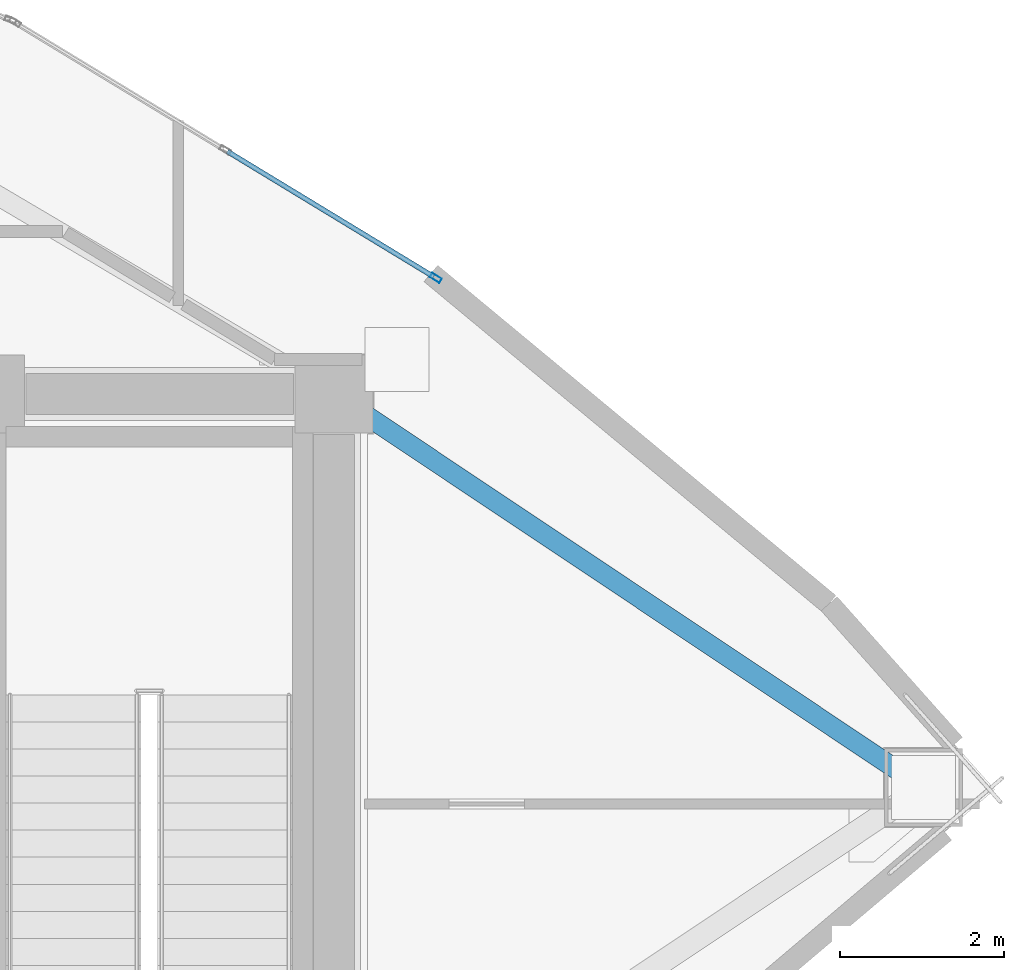
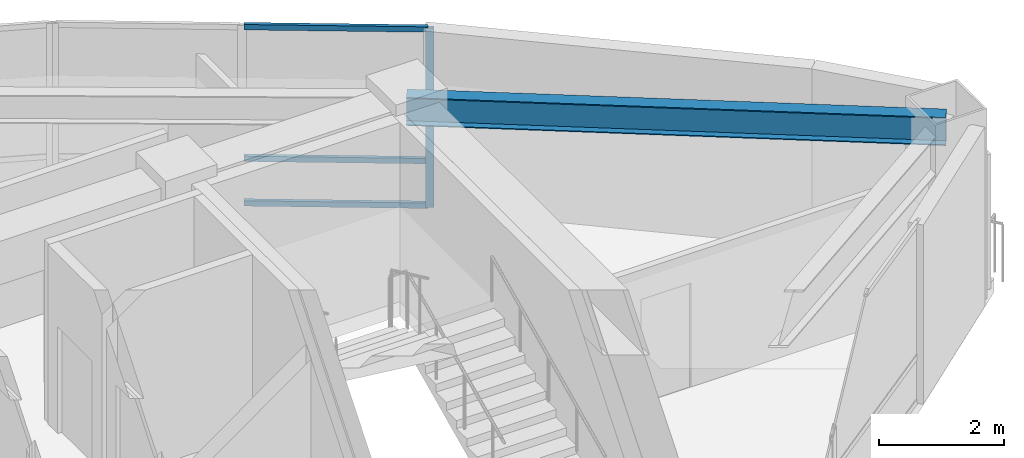
# One storey, part 9 of 15: 4 members, 1 beam, 1 element without a shape of its own.
"""IFC4 building model written with IfcOpenShell, lengths in metres."""

from ifc_helpers import new_model, si_unit, direction, frame, origin, origin_2d, place, context, subcontext, project, spatial, hollow_rectangle, i_section, extrude, material, layer, layer_set, material_profile, profile_set, type_object, element, aggregate, save


model = new_model("IFC4")

# Units and contexts
model_context = context("Model", 3, precision=1e-05, world=origin(), true_north=direction((0.0, 1.0)))
body_context = subcontext(model_context, "Body", "Model", "MODEL_VIEW")
ifc_project = project(units=[si_unit("LENGTHUNIT", "METRE"), si_unit("AREAUNIT", "SQUARE_METRE"), si_unit("VOLUMEUNIT", "CUBIC_METRE"), si_unit("PLANEANGLEUNIT", "RADIAN"), si_unit("MASSUNIT", "GRAM", prefix="KILO")], contexts=[model_context])

# Site, building, storey
site_placement = place(None, origin())
site = spatial("IfcSite", under=ifc_project, at=site_placement, CompositionType="ELEMENT")
building_placement = place(site_placement, origin())
building = spatial("IfcBuilding", under=site, at=building_placement, Name="Menara Vayukalpa", CompositionType="ELEMENT")
storey_placement = place(building_placement, frame((0.0, 0.0, 172.919921875)))
storey = spatial("IfcBuildingStorey", under=building, at=storey_placement, Name="L43", CompositionType="ELEMENT", Elevation=172.919921875)

# Beam
ifc_material_1 = material(Name="Steel S355", Category="steel")
ifc_material_profile_1 = material_profile(ifc_material_1, i_section(OverallWidth=0.239990234375, OverallDepth=0.550048828125, WebThickness=0.010986328125, FlangeThickness=0.01904296875, at=origin_2d()), Name="WF 550x240x11x19")
ifc_profile_set_1 = profile_set([ifc_material_profile_1], Name="Steel S355")
beam_type = type_object("IfcBeamType", Name="BM-SP2", PredefinedType="SPANDREL", material=ifc_profile_set_1)
beam_placement = place(storey_placement, frame((40.590576171875, 22.0, 3.22509765625), z_axis=(-0.831715622571, 0.555201876052, 0.0), x_axis=(-0.555201876052, -0.831715622571, 0.0)))
element("IfcBeam", 1, at=beam_placement, inside=storey, type_object=beam_type, Name="L43 Perimeter Spandrel Beam SP01", PredefinedType="SPANDREL", context=body_context, shape_type="SweptSolid", body=[
    extrude(i_section(OverallWidth=0.239990234375, OverallDepth=0.550048828125, WebThickness=0.010986328125, FlangeThickness=0.01904296875, at=origin_2d()), origin(), (0.0, 0.0, 1.0), 8.6455078125),
])

# Curtain wall, members
ifc_material_2 = material(Name="Anodised Terracotta Aluminium Alloy 6063-T6", Category="masonry")
ifc_layer = layer(ifc_material_2, 0.139892578125)
ifc_layer_set = layer_set([ifc_layer], Name="Anodised Terracotta Aluminium Alloy 6063-T6")
curtain_wall_type = type_object("IfcCurtainWallType", Name="CW-CW5", PredefinedType="USERDEFINED", material=ifc_layer_set)
curtain_wall_placement = place(storey_placement, origin())
curtain_wall = element("IfcCurtainWall", 2, at=curtain_wall_placement, inside=storey, type_object=curtain_wall_type, Name="L43 High Rise Tapered Curtain Wall CW5 04", ObjectType="UNITISED", PredefinedType="USERDEFINED")
ifc_material_3 = material(Name="Anodised Terracotta Aluminium Alloy 6063-T6", Category="masonry")
ifc_material_profile_2 = material_profile(ifc_material_3, hollow_rectangle(XDim=0.06005859375, YDim=0.139892578125, WallThickness=0.00341796875, at=origin_2d()), Name="ALU 60x140x3.5")
ifc_profile_set_2 = profile_set([ifc_material_profile_2], Name="Anodised Terracotta Aluminium Alloy 6063-T6")
member_type_1 = type_object("IfcMemberType", Name="CWM-CW5", PredefinedType="MULLION", material=ifc_profile_set_2)
member_1_placement = place(storey_placement, frame((34.6416015625, 28.21484375, 0.0), z_axis=(0.0, 0.0, 1.0), x_axis=(-0.519179911779, -0.854664974832, 0.0)))
member_1 = element("IfcMember", 3, at=member_1_placement, type_object=member_type_1, Name="CW5 mullion 1", PredefinedType="MULLION", context=body_context, shape_type="SweptSolid", body=[
    extrude(hollow_rectangle(XDim=0.06005859375, YDim=0.139892578125, WallThickness=0.00341796875, at=origin_2d()), origin(), (0.0, 0.0, 1.0), 3.5),
])
ifc_material_4 = material(Name="Anodised Terracotta Aluminium Alloy 6063-T6", Category="masonry")
ifc_material_profile_3 = material_profile(ifc_material_4, hollow_rectangle(XDim=0.06005859375, YDim=0.10498046875, WallThickness=0.0029296875, at=origin_2d()), Name="ALU 60x105x3")
ifc_profile_set_3 = profile_set([ifc_material_profile_3], Name="Anodised Terracotta Aluminium Alloy 6063-T6")
member_type_2 = type_object("IfcMemberType", Name="CWT-CW5", PredefinedType="USERDEFINED", material=ifc_profile_set_3)
member_2_placement = place(storey_placement, frame((34.615966796875, 28.23046875, 0.030029296875), z_axis=(-0.854683649113, 0.519149169255, 0.0), x_axis=(-0.519149169255, -0.854683649113, 0.0)))
member_2 = element("IfcMember", 4, at=member_2_placement, type_object=member_type_2, Name="CW5 transom 1.1", ObjectType="TRANSOM", PredefinedType="USERDEFINED", context=body_context, shape_type="SweptSolid", body=[
    extrude(hollow_rectangle(XDim=0.06005859375, YDim=0.10498046875, WallThickness=0.0029296875, at=origin_2d()), origin(), (0.0, 0.0, 1.0), 2.9423828125),
])
member_3_placement = place(storey_placement, frame((34.615966796875, 28.23046875, 0.900146484375), z_axis=(-0.854683649113, 0.519149169255, 0.0), x_axis=(-0.519149169255, -0.854683649113, 0.0)))
member_3 = element("IfcMember", 5, at=member_3_placement, type_object=member_type_2, Name="CW5 transom 1.2", ObjectType="TRANSOM", PredefinedType="USERDEFINED", context=body_context, shape_type="SweptSolid", body=[
    extrude(hollow_rectangle(XDim=0.06005859375, YDim=0.10498046875, WallThickness=0.0029296875, at=origin_2d()), origin(), (0.0, 0.0, 1.0), 2.9423828125),
])
member_4_placement = place(storey_placement, frame((34.615966796875, 28.23046875, 3.469970703125), z_axis=(-0.854683649113, 0.519149169255, 0.0), x_axis=(-0.519149169255, -0.854683649113, 0.0)))
member_4 = element("IfcMember", 6, at=member_4_placement, type_object=member_type_2, Name="CW5 transom 1.3", ObjectType="TRANSOM", PredefinedType="USERDEFINED", context=body_context, shape_type="SweptSolid", body=[
    extrude(hollow_rectangle(XDim=0.06005859375, YDim=0.10498046875, WallThickness=0.0029296875, at=origin_2d()), origin(), (0.0, 0.0, 1.0), 2.9423828125),
])
aggregate(curtain_wall, [member_1, member_2, member_3, member_4])

save(model, "model.ifc")
